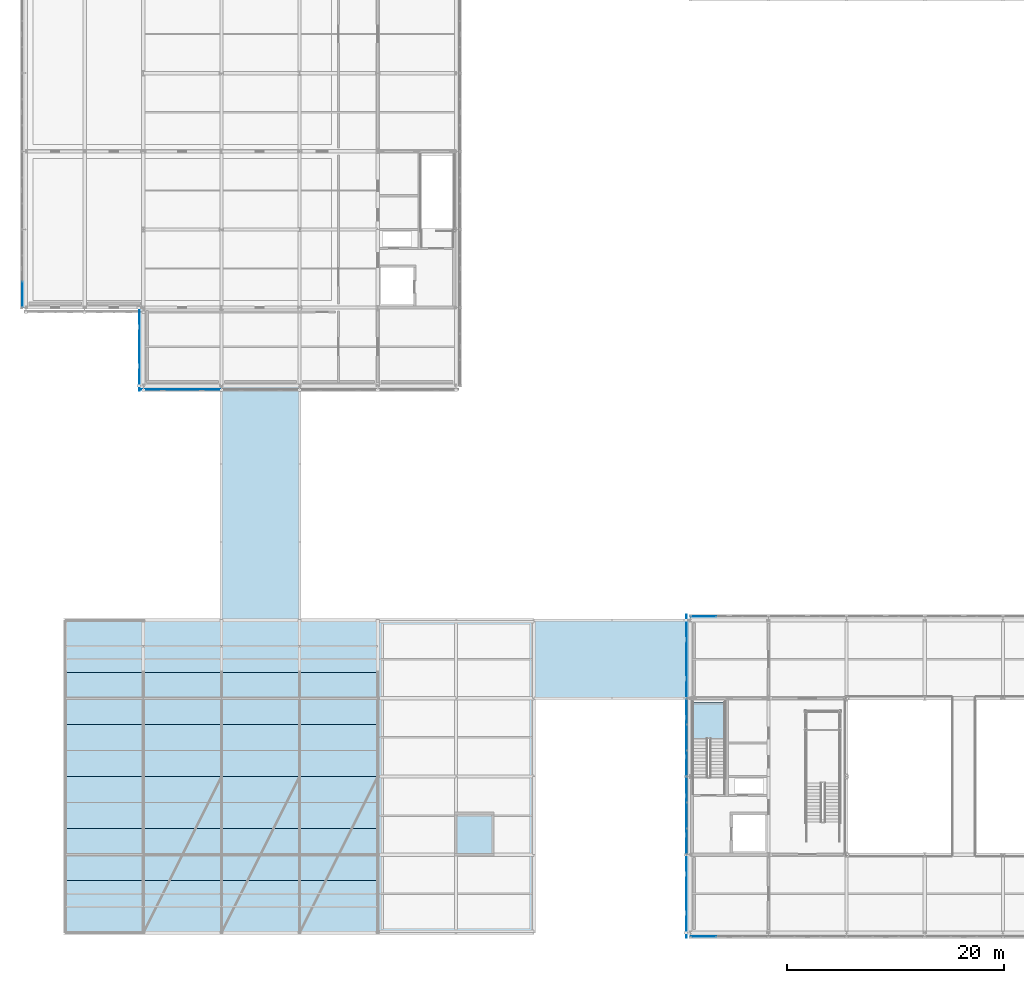
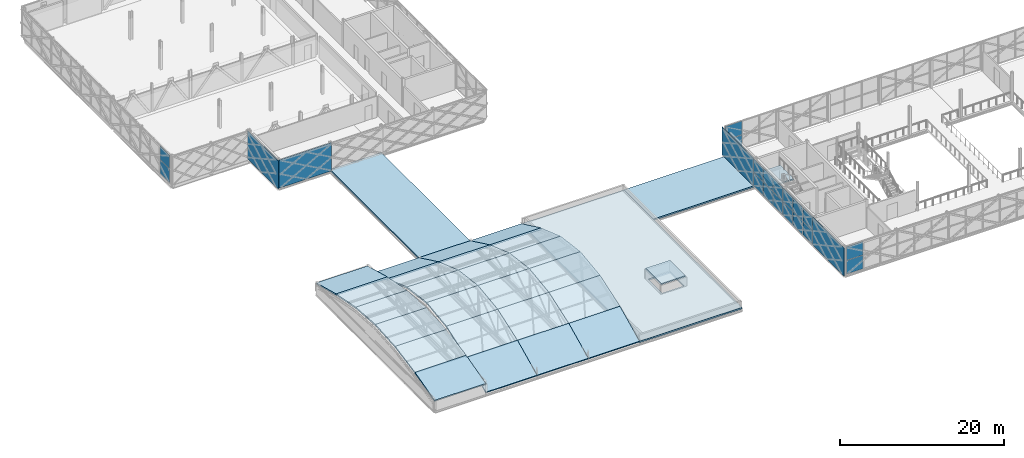
# One storey, part 65 of 103: 29 slabs, 22 plates, 6 elements without a shape of their own.
"""IFC4 building model written with IfcOpenShell, lengths in metres."""

from ifc_helpers import new_model, si_unit, direction, frame, origin, origin_2d, place, context, subcontext, project, spatial, polyline, rectangle, outline, extrude, material, layer, layer_set, type_object, element, aggregate, save


model = new_model("IFC4")

# Units and contexts
model_context = context("Model", 3, precision=1e-05, world=origin(), true_north=direction((0.0, 1.0)))
body_context = subcontext(model_context, "Body", "Model", "MODEL_VIEW")
ifc_project = project(units=[si_unit("LENGTHUNIT", "METRE"), si_unit("AREAUNIT", "SQUARE_METRE"), si_unit("VOLUMEUNIT", "CUBIC_METRE"), si_unit("PLANEANGLEUNIT", "RADIAN"), si_unit("MASSUNIT", "GRAM", prefix="KILO")], contexts=[model_context])

# Site, building, storey
site_placement = place(None, origin())
site = spatial("IfcSite", under=ifc_project, at=site_placement, CompositionType="ELEMENT")
building_placement = place(site_placement, origin())
building = spatial("IfcBuilding", under=site, at=building_placement, Name="Zlatovets Crest Museum", CompositionType="ELEMENT")
storey_placement = place(building_placement, frame((0.0, 0.0, 12.89990234375)))
storey = spatial("IfcBuildingStorey", under=building, at=storey_placement, Name="L03", CompositionType="ELEMENT", Elevation=12.89990234375)

# Curtain wall, plates
ifc_material_1 = material(Name="Bronze-anodised aluminium and low-E triple glass", Category="aluminium")
curtain_wall_type_1 = type_object("IfcCurtainWallType", Name="CW_CW-V2-L03-M0", PredefinedType="NOTDEFINED", material=ifc_material_1)
curtain_wall_1_placement = place(storey_placement, origin())
curtain_wall_1 = element("IfcCurtainWall", 1, at=curtain_wall_1_placement, inside=storey, type_object=curtain_wall_type_1, Name="V2 L03 Secession Foyer Clear Curtain Wall", PredefinedType="NOTDEFINED")
ifc_material_2 = material(Name="Solar-control low-E laminated triple glass", Category="glass")
ifc_layer_1 = layer(ifc_material_2, 0.028076171875)
ifc_layer_set_1 = layer_set([ifc_layer_1], Name="Solar-control low-E laminated triple glass")
plate_type_1 = type_object("IfcPlateType", Name="CWPanel_CW-V2-L03-M0", PredefinedType="CURTAIN_PANEL", material=ifc_layer_set_1)
plate_1_placement = place(storey_placement, frame((58.81494140625, -0.340087890625, 0.06005859375), z_axis=(0.0, 0.0, 1.0), x_axis=(1.0, 0.0, 0.0)))
plate_1 = element("IfcPlate", 2, at=plate_1_placement, type_object=plate_type_1, Name="CW-V2-L03-M0 panel 1.1", PredefinedType="CURTAIN_PANEL", context=body_context, shape_type="SweptSolid", body=[
    extrude(rectangle(XDim=2.31005859375, YDim=0.028076171875, at=origin_2d()), origin(), (0.0, 0.0, 1.0), 2.010009765625),
])
plate_2_placement = place(storey_placement, frame((58.81494140625, -0.340087890625, 2.1298828125), z_axis=(0.0, 0.0, 1.0), x_axis=(1.0, 0.0, 0.0)))
plate_2 = element("IfcPlate", 3, at=plate_2_placement, type_object=plate_type_1, Name="CW-V2-L03-M0 panel 1.2", PredefinedType="CURTAIN_PANEL", context=body_context, shape_type="SweptSolid", body=[
    extrude(rectangle(XDim=2.31005859375, YDim=0.028076171875, at=origin_2d()), origin(), (0.0, 0.0, 1.0), 2.010009765625),
])
aggregate(curtain_wall_1, [plate_1, plate_2])

curtain_wall_2_placement = place(storey_placement, origin())
curtain_wall_2 = element("IfcCurtainWall", 4, at=curtain_wall_2_placement, inside=storey, type_object=curtain_wall_type_1, Name="V2 L03 Expressed Core Glazed Facade", PredefinedType="NOTDEFINED")
plate_3_placement = place(storey_placement, frame((57.260009765625, 13.18505859375, 0.06005859375), z_axis=(0.0, 0.0, 1.0), x_axis=(0.0, -1.0, 0.0)))
plate_3 = element("IfcPlate", 5, at=plate_3_placement, type_object=plate_type_1, Name="CW-V2-L03-M0 panel 1.1", PredefinedType="CURTAIN_PANEL", context=body_context, shape_type="SweptSolid", body=[
    extrude(rectangle(XDim=2.31005859375, YDim=0.030029296875, at=origin_2d()), origin(), (0.0, 0.0, 1.0), 2.010009765625),
])
plate_4_placement = place(storey_placement, frame((57.260009765625, 13.18505859375, 2.1298828125), z_axis=(0.0, 0.0, 1.0), x_axis=(0.0, -1.0, 0.0)))
plate_4 = element("IfcPlate", 6, at=plate_4_placement, type_object=plate_type_1, Name="CW-V2-L03-M0 panel 1.2", PredefinedType="CURTAIN_PANEL", context=body_context, shape_type="SweptSolid", body=[
    extrude(rectangle(XDim=2.31005859375, YDim=0.030029296875, at=origin_2d()), origin(), (0.0, 0.0, 1.0), 2.010009765625),
])
plate_5_placement = place(storey_placement, frame((57.260009765625, 10.800048828125, 0.06005859375), z_axis=(0.0, 0.0, 1.0), x_axis=(0.0, -1.0, 0.0)))
plate_5 = element("IfcPlate", 7, at=plate_5_placement, type_object=plate_type_1, Name="CW-V2-L03-M0 panel 2.1", PredefinedType="CURTAIN_PANEL", context=body_context, shape_type="SweptSolid", body=[
    extrude(rectangle(XDim=2.340087890625, YDim=0.030029296875, at=origin_2d()), origin(), (0.0, 0.0, 1.0), 2.010009765625),
])
plate_6_placement = place(storey_placement, frame((57.260009765625, 10.800048828125, 2.1298828125), z_axis=(0.0, 0.0, 1.0), x_axis=(0.0, -1.0, 0.0)))
plate_6 = element("IfcPlate", 8, at=plate_6_placement, type_object=plate_type_1, Name="CW-V2-L03-M0 panel 2.2", PredefinedType="CURTAIN_PANEL", context=body_context, shape_type="SweptSolid", body=[
    extrude(rectangle(XDim=2.340087890625, YDim=0.030029296875, at=origin_2d()), origin(), (0.0, 0.0, 1.0), 2.010009765625),
])
plate_7_placement = place(storey_placement, frame((57.260009765625, 8.4150390625, 0.06005859375), z_axis=(0.0, 0.0, 1.0), x_axis=(0.0, -1.0, 0.0)))
plate_7 = element("IfcPlate", 9, at=plate_7_placement, type_object=plate_type_1, Name="CW-V2-L03-M0 panel 3.1", PredefinedType="CURTAIN_PANEL", context=body_context, shape_type="SweptSolid", body=[
    extrude(rectangle(XDim=2.31005859375, YDim=0.030029296875, at=origin_2d()), origin(), (0.0, 0.0, 1.0), 2.010009765625),
])
plate_8_placement = place(storey_placement, frame((57.260009765625, 8.4150390625, 2.1298828125), z_axis=(0.0, 0.0, 1.0), x_axis=(0.0, -1.0, 0.0)))
plate_8 = element("IfcPlate", 10, at=plate_8_placement, type_object=plate_type_1, Name="CW-V2-L03-M0 panel 3.2", PredefinedType="CURTAIN_PANEL", context=body_context, shape_type="SweptSolid", body=[
    extrude(rectangle(XDim=2.31005859375, YDim=0.030029296875, at=origin_2d()), origin(), (0.0, 0.0, 1.0), 2.010009765625),
])
aggregate(curtain_wall_2, [plate_3, plate_4, plate_5, plate_6, plate_7, plate_8])

curtain_wall_type_2 = type_object("IfcCurtainWallType", Name="CW_CW-V2-L03-M1", PredefinedType="NOTDEFINED", material=ifc_material_1)
curtain_wall_3_placement = place(storey_placement, origin())
curtain_wall_3 = element("IfcCurtainWall", 11, at=curtain_wall_3_placement, inside=storey, type_object=curtain_wall_type_2, Name="V2 L03 Secession Foyer Clear Curtain Wall", PredefinedType="NOTDEFINED")
ifc_layer_2 = layer(ifc_material_2, 0.031982421875)
ifc_layer_set_2 = layer_set([ifc_layer_2], Name="Solar-control low-E laminated triple glass")
plate_type_2 = type_object("IfcPlateType", Name="CWPanel_CW-V2-L03-M1", PredefinedType="CURTAIN_PANEL", material=ifc_layer_set_2)
plate_9_placement = place(storey_placement, frame((58.81494140625, 29.139892578125, 0.06005859375), z_axis=(0.0, 0.0, 1.0), x_axis=(-1.0, 0.0, 0.0)))
plate_9 = element("IfcPlate", 12, at=plate_9_placement, type_object=plate_type_2, Name="CW-V2-L03-M1 panel 3.1", PredefinedType="CURTAIN_PANEL", context=body_context, shape_type="SweptSolid", body=[
    extrude(rectangle(XDim=2.31005859375, YDim=0.031982421875, at=origin_2d()), origin(), (0.0, 0.0, 1.0), 2.010009765625),
])
plate_10_placement = place(storey_placement, frame((58.81494140625, 29.139892578125, 2.1298828125), z_axis=(0.0, 0.0, 1.0), x_axis=(-1.0, 0.0, 0.0)))
plate_10 = element("IfcPlate", 13, at=plate_10_placement, type_object=plate_type_2, Name="CW-V2-L03-M1 panel 3.2", PredefinedType="CURTAIN_PANEL", context=body_context, shape_type="SweptSolid", body=[
    extrude(rectangle(XDim=2.31005859375, YDim=0.031982421875, at=origin_2d()), origin(), (0.0, 0.0, 1.0), 2.010009765625),
])
aggregate(curtain_wall_3, [plate_9, plate_10])

curtain_wall_type_3 = type_object("IfcCurtainWallType", Name="CW_CW-V2-L03-M3", PredefinedType="NOTDEFINED", material=ifc_material_1)
curtain_wall_4_placement = place(storey_placement, origin())
curtain_wall_4 = element("IfcCurtainWall", 14, at=curtain_wall_4_placement, inside=storey, type_object=curtain_wall_type_3, Name="V2 L03 Expressed Core Glazed Facade", PredefinedType="NOTDEFINED")
ifc_layer_3 = layer(ifc_material_2, 0.0400390625)
ifc_layer_set_3 = layer_set([ifc_layer_3], Name="Solar-control low-E laminated triple glass")
plate_type_3 = type_object("IfcPlateType", Name="CWPanel_CW-V2-L03-M3", PredefinedType="CURTAIN_PANEL", material=ifc_layer_set_3)
plate_11_placement = place(storey_placement, frame((57.260009765625, 20.385009765625, 0.06005859375), z_axis=(0.0, 0.0, 1.0), x_axis=(0.0, -1.0, 0.0)))
plate_11 = element("IfcPlate", 15, at=plate_11_placement, type_object=plate_type_3, Name="CW-V2-L03-M3 panel 1.1", PredefinedType="CURTAIN_PANEL", context=body_context, shape_type="SweptSolid", body=[
    extrude(rectangle(XDim=2.31005859375, YDim=0.030029296875, at=origin_2d()), origin(), (0.0, 0.0, 1.0), 2.010009765625),
])
plate_12_placement = place(storey_placement, frame((57.260009765625, 20.385009765625, 2.1298828125), z_axis=(0.0, 0.0, 1.0), x_axis=(0.0, -1.0, 0.0)))
plate_12 = element("IfcPlate", 16, at=plate_12_placement, type_object=plate_type_3, Name="CW-V2-L03-M3 panel 1.2", PredefinedType="CURTAIN_PANEL", context=body_context, shape_type="SweptSolid", body=[
    extrude(rectangle(XDim=2.31005859375, YDim=0.030029296875, at=origin_2d()), origin(), (0.0, 0.0, 1.0), 2.010009765625),
])
plate_13_placement = place(storey_placement, frame((57.260009765625, 18.0, 0.06005859375), z_axis=(0.0, 0.0, 1.0), x_axis=(0.0, -1.0, 0.0)))
plate_13 = element("IfcPlate", 17, at=plate_13_placement, type_object=plate_type_3, Name="CW-V2-L03-M3 panel 2.1", PredefinedType="CURTAIN_PANEL", context=body_context, shape_type="SweptSolid", body=[
    extrude(rectangle(XDim=2.340087890625, YDim=0.030029296875, at=origin_2d()), origin(), (0.0, 0.0, 1.0), 2.010009765625),
])
plate_14_placement = place(storey_placement, frame((57.260009765625, 18.0, 2.1298828125), z_axis=(0.0, 0.0, 1.0), x_axis=(0.0, -1.0, 0.0)))
plate_14 = element("IfcPlate", 18, at=plate_14_placement, type_object=plate_type_3, Name="CW-V2-L03-M3 panel 2.2", PredefinedType="CURTAIN_PANEL", context=body_context, shape_type="SweptSolid", body=[
    extrude(rectangle(XDim=2.340087890625, YDim=0.030029296875, at=origin_2d()), origin(), (0.0, 0.0, 1.0), 2.010009765625),
])
plate_15_placement = place(storey_placement, frame((57.260009765625, 15.614990234375, 0.06005859375), z_axis=(0.0, 0.0, 1.0), x_axis=(0.0, -1.0, 0.0)))
plate_15 = element("IfcPlate", 19, at=plate_15_placement, type_object=plate_type_3, Name="CW-V2-L03-M3 panel 3.1", PredefinedType="CURTAIN_PANEL", context=body_context, shape_type="SweptSolid", body=[
    extrude(rectangle(XDim=2.31005859375, YDim=0.030029296875, at=origin_2d()), origin(), (0.0, 0.0, 1.0), 2.010009765625),
])
plate_16_placement = place(storey_placement, frame((57.260009765625, 15.614990234375, 2.1298828125), z_axis=(0.0, 0.0, 1.0), x_axis=(0.0, -1.0, 0.0)))
plate_16 = element("IfcPlate", 20, at=plate_16_placement, type_object=plate_type_3, Name="CW-V2-L03-M3 panel 3.2", PredefinedType="CURTAIN_PANEL", context=body_context, shape_type="SweptSolid", body=[
    extrude(rectangle(XDim=2.31005859375, YDim=0.030029296875, at=origin_2d()), origin(), (0.0, 0.0, 1.0), 2.010009765625),
])
aggregate(curtain_wall_4, [plate_11, plate_12, plate_13, plate_14, plate_15, plate_16])

curtain_wall_type_4 = type_object("IfcCurtainWallType", Name="CW_CW-V4-L03-M2", PredefinedType="NOTDEFINED", material=ifc_material_1)
curtain_wall_5_placement = place(storey_placement, origin())
curtain_wall_5 = element("IfcCurtainWall", 21, at=curtain_wall_5_placement, inside=storey, type_object=curtain_wall_type_4, Name="V4 L03 Secession Foyer Clear Curtain Wall", PredefinedType="NOTDEFINED")
ifc_layer_4 = layer(ifc_material_2, 0.030029296875)
ifc_layer_set_4 = layer_set([ifc_layer_4], Name="Solar-control low-E laminated triple glass")
plate_type_4 = type_object("IfcPlateType", Name="CWPanel_CW-V4-L03-M2", PredefinedType="CURTAIN_PANEL", material=ifc_layer_set_4)
plate_17_placement = place(storey_placement, frame((-3.93994140625, 58.81494140625, 0.06005859375), z_axis=(0.0, 0.0, 1.0), x_axis=(0.0, -1.0, 0.0)))
plate_17 = element("IfcPlate", 22, at=plate_17_placement, type_object=plate_type_4, Name="CW-V4-L03-M2 panel 3.1", PredefinedType="CURTAIN_PANEL", context=body_context, shape_type="SweptSolid", body=[
    extrude(rectangle(XDim=2.31005859375, YDim=0.035888671875, at=origin_2d()), origin(), (0.0, 0.0, 1.0), 2.010009765625),
])
plate_18_placement = place(storey_placement, frame((-3.93994140625, 58.81494140625, 2.1298828125), z_axis=(0.0, 0.0, 1.0), x_axis=(0.0, -1.0, 0.0)))
plate_18 = element("IfcPlate", 23, at=plate_18_placement, type_object=plate_type_4, Name="CW-V4-L03-M2 panel 3.2", PredefinedType="CURTAIN_PANEL", context=body_context, shape_type="SweptSolid", body=[
    extrude(rectangle(XDim=2.31005859375, YDim=0.035888671875, at=origin_2d()), origin(), (0.0, 0.0, 1.0), 2.010009765625),
])
aggregate(curtain_wall_5, [plate_17, plate_18])

# Plates
ifc_material_3 = material(Name="Ceramic-fritted low-E laminated architectural glass", Category="glass")
ifc_layer_5 = layer(ifc_material_3, 0.031982421875)
ifc_layer_set_5 = layer_set([ifc_layer_5], Name="Ceramic-fritted low-E laminated architectural glass")
plate_type_5 = type_object("IfcPlateType", Name="GlazedSpandrel_GSP1", PredefinedType="USERDEFINED", material=ifc_layer_set_5)
for number, where, z_axis, x_axis, name in (
    (24, (57.260009765625, 25.43994140625, 0.0), (0.0, 0.0, 1.0), (0.0, 1.0, 0.0), "V2 L03 Ceramic-Fritted Gallery Glass Skin"),
    (25, (57.260009765625, 3.360107421875, 0.0), (0.0, 0.0, 1.0), (0.0, 1.0, 0.0), "V2 L03 Ceramic-Fritted Gallery Glass Skin"),
):
    element("IfcPlate", number, at=place(storey_placement, frame(where, z_axis=z_axis, x_axis=x_axis)), inside=storey, type_object=plate_type_5, Name=name, ObjectType="GLAZED_SPANDREL", PredefinedType="USERDEFINED", context=body_context, shape_type="SweptSolid", body=[
        extrude(rectangle(XDim=7.679931640625, YDim=0.031982421875, at=origin_2d()), origin(), (0.0, 0.0, 1.0), 4.199951171875),
    ])
plate_19_placement = place(storey_placement, frame((10.699951171875, 50.06005859375, 0.0), z_axis=(0.0, 0.0, 1.0), x_axis=(1.0, 0.0, 0.0)))
element("IfcPlate", 26, at=plate_19_placement, inside=storey, type_object=plate_type_5, Name="V4 L03 Ceramic-Fritted Gallery Glass Skin", ObjectType="GLAZED_SPANDREL", PredefinedType="USERDEFINED", context=body_context, shape_type="SweptSolid", body=[
    extrude(rectangle(XDim=7.39990234375, YDim=0.031982421875, at=origin_2d()), origin(), (0.0, 0.0, 1.0), 4.199951171875),
])
plate_20_placement = place(storey_placement, frame((6.860107421875, 53.659912109375, 0.0), z_axis=(0.0, 0.0, 1.0), x_axis=(0.0, 1.0, 0.0)))
element("IfcPlate", 27, at=plate_20_placement, inside=storey, type_object=plate_type_5, Name="V4 L03 Ceramic-Fritted Gallery Glass Skin", ObjectType="GLAZED_SPANDREL", PredefinedType="USERDEFINED", context=body_context, shape_type="SweptSolid", body=[
    extrude(rectangle(XDim=7.47998046875, YDim=0.031982421875, at=origin_2d()), origin(), (0.0, 0.0, 1.0), 4.199951171875),
])

# Slabs
ifc_material_4 = material(Name="Concrete C30/37", Category="concrete")
ifc_layer_6 = layer(ifc_material_4, 0.219970703125)
ifc_layer_set_6 = layer_set([ifc_layer_6], Name="Concrete C30/37")
slab_type_1 = type_object("IfcSlabType", Name="Slab_RS-01", PredefinedType="ROOF", material=ifc_layer_set_6)
slab_1_placement = place(storey_placement, frame((0.0, 0.0, -0.219970703125)))
element("IfcSlab", 28, at=slab_1_placement, inside=storey, type_object=slab_type_1, Name="V3 L03 East Foyer Flat Roof Slab", PredefinedType="ROOF", context=body_context, shape_type="SweptSolid", body=[
    extrude(outline(polyline([(28.800048828125, 0.0), (28.800048828125, 28.800048828125), (43.199951171875, 28.800048828125), (43.199951171875, 0.0), (28.800048828125, 0.0)]), holes=[polyline([(39.35009765625, 10.89990234375), (36.300048828125, 10.89990234375), (36.300048828125, 7.5), (39.35009765625, 7.5), (39.35009765625, 10.89990234375)])]), origin(), (0.0, 0.0, 1.0), 0.219970703125),
])
ifc_layer_7 = layer(ifc_material_4, 0.219970703125)
ifc_layer_set_7 = layer_set([ifc_layer_7], Name="Concrete C30/37")
slab_type_2 = type_object("IfcSlabType", Name="Slab_RS-02", PredefinedType="ROOF", material=ifc_layer_set_7)
slab_2_placement = place(storey_placement, frame((7.199951171875, 0.0, 0.0), z_axis=(0.0, -0.432124066188, 0.901814166789), x_axis=(1.0, 0.0, 0.0)))
element("IfcSlab", 29, at=slab_2_placement, inside=storey, type_object=slab_type_2, Name="V3 Art Nouveau Barrel Vault Shell Facet", PredefinedType="ROOF", context=body_context, shape_type="SweptSolid", body=[
    extrude(outline(polyline([(0.0, 0.0), (7.199951171875, 0.0), (7.199951171875, 5.322658486521879), (0.0, 5.322658486521879), (0.0, 0.0)])), origin(), (0.0, 0.0, -1.0), 0.219970703125),
])
slab_3_placement = place(storey_placement, frame((7.199951171875, 4.800048828125, 2.300048828125), z_axis=(0.0, -0.331019488393, 0.943623917832), x_axis=(1.0, 0.0, 0.0)))
element("IfcSlab", 30, at=slab_3_placement, inside=storey, type_object=slab_type_2, Name="V3 Art Nouveau Barrel Vault Shell Facet", PredefinedType="ROOF", context=body_context, shape_type="SweptSolid", body=[
    extrude(outline(polyline([(0.0, 0.0), (7.199951171875, 0.0), (7.199951171875, 5.086824038070183), (0.0, 5.086824038070183), (0.0, 0.0)])), origin(), (0.0, 0.0, -1.0), 0.219970703125),
])
slab_4_placement = place(storey_placement, frame((7.199951171875, 9.60009765625, 3.98388671875), z_axis=(0.0, -0.127337399535, 0.991859459137), x_axis=(1.0, 0.0, 0.0)))
element("IfcSlab", 31, at=slab_4_placement, inside=storey, type_object=slab_type_2, Name="V3 Art Nouveau Barrel Vault Shell Facet", PredefinedType="ROOF", context=body_context, shape_type="SweptSolid", body=[
    extrude(outline(polyline([(0.0, 0.0), (7.199951171875, 0.0), (7.199951171875, 4.839198379653556), (0.0, 4.839198379653556), (0.0, 0.0)])), origin(), (0.0, 0.0, -1.0), 0.219970703125),
])
slab_5_placement = place(storey_placement, frame((7.199951171875, 14.39990234375, 4.60009765625), z_axis=(0.0, 0.127331027896, 0.991860277123), x_axis=(1.0, 0.0, 0.0)))
element("IfcSlab", 32, at=slab_5_placement, inside=storey, type_object=slab_type_2, Name="V3 Art Nouveau Barrel Vault Shell Facet", PredefinedType="ROOF", context=body_context, shape_type="SweptSolid", body=[
    extrude(outline(polyline([(0.0, 0.0), (7.199951171875, 0.0), (7.199951171875, 4.839440532941676), (0.0, 4.839440532941676), (0.0, 0.0)])), origin(), (0.0, 0.0, -1.0), 0.219970703125),
])
slab_6_placement = place(storey_placement, frame((7.199951171875, 19.199951171875, 3.98388671875), z_axis=(0.0, 0.331019488393, 0.943623917832), x_axis=(1.0, 0.0, 0.0)))
element("IfcSlab", 33, at=slab_6_placement, inside=storey, type_object=slab_type_2, Name="V3 Art Nouveau Barrel Vault Shell Facet", PredefinedType="ROOF", context=body_context, shape_type="SweptSolid", body=[
    extrude(outline(polyline([(0.0, 0.0), (7.199951171875, 0.0), (7.199951171875, 5.086824038070183), (0.0, 5.086824038070183), (0.0, 0.0)])), origin(), (0.0, 0.0, -1.0), 0.219970703125),
])
slab_7_placement = place(storey_placement, frame((7.199951171875, 24.0, 2.300048828125), z_axis=(0.0, 0.432124066188, 0.901814166789), x_axis=(1.0, 0.0, 0.0)))
element("IfcSlab", 34, at=slab_7_placement, inside=storey, type_object=slab_type_2, Name="V3 Art Nouveau Barrel Vault Shell Facet", PredefinedType="ROOF", context=body_context, shape_type="SweptSolid", body=[
    extrude(outline(polyline([(0.0, 0.0), (7.199951171875, 0.0), (7.199951171875, 5.322658486521879), (0.0, 5.322658486521879), (0.0, 0.0)])), origin(), (0.0, 0.0, -1.0), 0.219970703125),
])
slab_8_placement = place(storey_placement, frame((14.39990234375, 0.0, 0.0), z_axis=(0.0, -0.432124066188, 0.901814166789), x_axis=(1.0, 0.0, 0.0)))
element("IfcSlab", 35, at=slab_8_placement, inside=storey, type_object=slab_type_2, Name="V3 Art Nouveau Barrel Vault Shell Facet", PredefinedType="ROOF", context=body_context, shape_type="SweptSolid", body=[
    extrude(outline(polyline([(0.0, 0.0), (7.2001953125, 0.0), (7.2001953125, 5.322658486521879), (0.0, 5.322658486521879), (0.0, 0.0)])), origin(), (0.0, 0.0, -1.0), 0.219970703125),
])
slab_9_placement = place(storey_placement, frame((14.39990234375, 4.800048828125, 2.300048828125), z_axis=(0.0, -0.331019488393, 0.943623917832), x_axis=(1.0, 0.0, 0.0)))
element("IfcSlab", 36, at=slab_9_placement, inside=storey, type_object=slab_type_2, Name="V3 Art Nouveau Barrel Vault Shell Facet", PredefinedType="ROOF", context=body_context, shape_type="SweptSolid", body=[
    extrude(outline(polyline([(0.0, 0.0), (7.2001953125, 0.0), (7.2001953125, 5.086824038070183), (0.0, 5.086824038070183), (0.0, 0.0)])), origin(), (0.0, 0.0, -1.0), 0.219970703125),
])
slab_10_placement = place(storey_placement, frame((14.39990234375, 9.60009765625, 3.98388671875), z_axis=(0.0, -0.127337399535, 0.991859459137), x_axis=(1.0, 0.0, 0.0)))
element("IfcSlab", 37, at=slab_10_placement, inside=storey, type_object=slab_type_2, Name="V3 Art Nouveau Barrel Vault Shell Facet", PredefinedType="ROOF", context=body_context, shape_type="SweptSolid", body=[
    extrude(outline(polyline([(0.0, 0.0), (7.2001953125, 0.0), (7.2001953125, 4.839198379653555), (0.0, 4.839198379653555), (0.0, 0.0)])), origin(), (0.0, 0.0, -1.0), 0.219970703125),
])
slab_11_placement = place(storey_placement, frame((14.39990234375, 14.39990234375, 4.60009765625), z_axis=(0.0, 0.127331027896, 0.991860277123), x_axis=(1.0, 0.0, 0.0)))
element("IfcSlab", 38, at=slab_11_placement, inside=storey, type_object=slab_type_2, Name="V3 Art Nouveau Barrel Vault Shell Facet", PredefinedType="ROOF", context=body_context, shape_type="SweptSolid", body=[
    extrude(outline(polyline([(0.0, 0.0), (7.2001953125, 0.0), (7.2001953125, 4.839440532941676), (0.0, 4.839440532941676), (0.0, 0.0)])), origin(), (0.0, 0.0, -1.0), 0.219970703125),
])
slab_12_placement = place(storey_placement, frame((14.39990234375, 19.199951171875, 3.98388671875), z_axis=(0.0, 0.331019488393, 0.943623917832), x_axis=(1.0, 0.0, 0.0)))
element("IfcSlab", 39, at=slab_12_placement, inside=storey, type_object=slab_type_2, Name="V3 Art Nouveau Barrel Vault Shell Facet", PredefinedType="ROOF", context=body_context, shape_type="SweptSolid", body=[
    extrude(outline(polyline([(0.0, 0.0), (7.2001953125, 0.0), (7.2001953125, 5.086824038070183), (0.0, 5.086824038070183), (0.0, 0.0)])), origin(), (0.0, 0.0, -1.0), 0.219970703125),
])
slab_13_placement = place(storey_placement, frame((14.39990234375, 24.0, 2.300048828125), z_axis=(0.0, 0.432124066188, 0.901814166789), x_axis=(1.0, 0.0, 0.0)))
element("IfcSlab", 40, at=slab_13_placement, inside=storey, type_object=slab_type_2, Name="V3 Art Nouveau Barrel Vault Shell Facet", PredefinedType="ROOF", context=body_context, shape_type="SweptSolid", body=[
    extrude(outline(polyline([(0.0, 0.0), (7.2001953125, 0.0), (7.2001953125, 5.322658486521879), (0.0, 5.322658486521879), (0.0, 0.0)])), origin(), (0.0, 0.0, -1.0), 0.219970703125),
])
slab_14_placement = place(storey_placement, frame((21.60009765625, 0.0, 0.0), z_axis=(0.0, -0.432124066188, 0.901814166789), x_axis=(1.0, 0.0, 0.0)))
element("IfcSlab", 41, at=slab_14_placement, inside=storey, type_object=slab_type_2, Name="V3 Art Nouveau Barrel Vault Shell Facet", PredefinedType="ROOF", context=body_context, shape_type="SweptSolid", body=[
    extrude(outline(polyline([(0.0, 0.0), (7.199951171875, 0.0), (7.199951171875, 5.322658486521879), (0.0, 5.322658486521879), (0.0, 0.0)])), origin(), (0.0, 0.0, -1.0), 0.219970703125),
])
slab_15_placement = place(storey_placement, frame((21.60009765625, 4.800048828125, 2.300048828125), z_axis=(0.0, -0.331019488393, 0.943623917832), x_axis=(1.0, 0.0, 0.0)))
element("IfcSlab", 42, at=slab_15_placement, inside=storey, type_object=slab_type_2, Name="V3 Art Nouveau Barrel Vault Shell Facet", PredefinedType="ROOF", context=body_context, shape_type="SweptSolid", body=[
    extrude(outline(polyline([(0.0, 0.0), (7.199951171875, 0.0), (7.199951171875, 5.086824038070183), (0.0, 5.086824038070183), (0.0, 0.0)])), origin(), (0.0, 0.0, -1.0), 0.219970703125),
])
slab_16_placement = place(storey_placement, frame((21.60009765625, 9.60009765625, 3.98388671875), z_axis=(0.0, -0.127337399535, 0.991859459137), x_axis=(1.0, 0.0, 0.0)))
element("IfcSlab", 43, at=slab_16_placement, inside=storey, type_object=slab_type_2, Name="V3 Art Nouveau Barrel Vault Shell Facet", PredefinedType="ROOF", context=body_context, shape_type="SweptSolid", body=[
    extrude(outline(polyline([(0.0, 0.0), (7.199951171875, 0.0), (7.199951171875, 4.839198379653556), (0.0, 4.839198379653556), (0.0, 0.0)])), origin(), (0.0, 0.0, -1.0), 0.219970703125),
])
slab_17_placement = place(storey_placement, frame((21.60009765625, 14.39990234375, 4.60009765625), z_axis=(0.0, 0.127331027896, 0.991860277123), x_axis=(1.0, 0.0, 0.0)))
element("IfcSlab", 44, at=slab_17_placement, inside=storey, type_object=slab_type_2, Name="V3 Art Nouveau Barrel Vault Shell Facet", PredefinedType="ROOF", context=body_context, shape_type="SweptSolid", body=[
    extrude(outline(polyline([(0.0, 0.0), (7.199951171875, 0.0), (7.199951171875, 4.839440532941676), (0.0, 4.839440532941676), (0.0, 0.0)])), origin(), (0.0, 0.0, -1.0), 0.219970703125),
])
slab_18_placement = place(storey_placement, frame((21.60009765625, 19.199951171875, 3.98388671875), z_axis=(0.0, 0.331019488393, 0.943623917832), x_axis=(1.0, 0.0, 0.0)))
element("IfcSlab", 45, at=slab_18_placement, inside=storey, type_object=slab_type_2, Name="V3 Art Nouveau Barrel Vault Shell Facet", PredefinedType="ROOF", context=body_context, shape_type="SweptSolid", body=[
    extrude(outline(polyline([(0.0, 0.0), (7.199951171875, 0.0), (7.199951171875, 5.086824038070183), (0.0, 5.086824038070183), (0.0, 0.0)])), origin(), (0.0, 0.0, -1.0), 0.219970703125),
])
slab_19_placement = place(storey_placement, frame((21.60009765625, 24.0, 2.300048828125), z_axis=(0.0, 0.432124066188, 0.901814166789), x_axis=(1.0, 0.0, 0.0)))
element("IfcSlab", 46, at=slab_19_placement, inside=storey, type_object=slab_type_2, Name="V3 Art Nouveau Barrel Vault Shell Facet", PredefinedType="ROOF", context=body_context, shape_type="SweptSolid", body=[
    extrude(outline(polyline([(0.0, 0.0), (7.199951171875, 0.0), (7.199951171875, 5.322658486521879), (0.0, 5.322658486521879), (0.0, 0.0)])), origin(), (0.0, 0.0, -1.0), 0.219970703125),
])
slab_20_placement = place(storey_placement, frame((0.0, 0.0, 1.300048828125), z_axis=(0.0, -0.25674772281, 0.966478456476), x_axis=(1.0, 0.0, 0.0)))
element("IfcSlab", 47, at=slab_20_placement, inside=storey, type_object=slab_type_2, Name="V3 Art Nouveau Barrel Vault Shell Facet", PredefinedType="ROOF", context=body_context, shape_type="SweptSolid", body=[
    extrude(outline(polyline([(0.0, 0.0), (7.199951171875, 0.0), (7.199951171875, 4.966534738527266), (0.0, 4.966534738527266), (0.0, 0.0)])), origin(), (0.0, 0.0, -1.0), 0.219970703125),
])
slab_21_placement = place(storey_placement, frame((0.0, 4.800048828125, 2.5751953125), z_axis=(0.0, -0.190870995439, 0.981615129824), x_axis=(1.0, 0.0, 0.0)))
element("IfcSlab", 48, at=slab_21_placement, inside=storey, type_object=slab_type_2, Name="V3 Art Nouveau Barrel Vault Shell Facet", PredefinedType="ROOF", context=body_context, shape_type="SweptSolid", body=[
    extrude(outline(polyline([(0.0, 0.0), (7.199951171875, 0.0), (7.199951171875, 4.889949922617271), (0.0, 4.889949922617271), (0.0, 0.0)])), origin(), (0.0, 0.0, -1.0), 0.219970703125),
])
slab_22_placement = place(storey_placement, frame((0.0, 9.60009765625, 3.508544921875), z_axis=(0.0, -0.070980230608, 0.997477722489), x_axis=(1.0, 0.0, 0.0)))
element("IfcSlab", 49, at=slab_22_placement, inside=storey, type_object=slab_type_2, Name="V3 Art Nouveau Barrel Vault Shell Facet", PredefinedType="ROOF", context=body_context, shape_type="SweptSolid", body=[
    extrude(outline(polyline([(0.0, 0.0), (7.199951171875, 0.0), (7.199951171875, 4.811941739932646), (0.0, 4.811941739932646), (0.0, 0.0)])), origin(), (0.0, 0.0, -1.0), 0.219970703125),
])
slab_23_placement = place(storey_placement, frame((0.0, 14.39990234375, 3.85009765625), z_axis=(0.0, 0.070976638592, 0.99747797809), x_axis=(1.0, 0.0, 0.0)))
element("IfcSlab", 50, at=slab_23_placement, inside=storey, type_object=slab_type_2, Name="V3 Art Nouveau Barrel Vault Shell Facet", PredefinedType="ROOF", context=body_context, shape_type="SweptSolid", body=[
    extrude(outline(polyline([(0.0, 0.0), (7.199951171875, 0.0), (7.199951171875, 4.8121852647984396), (0.0, 4.8121852647984396), (0.0, 0.0)])), origin(), (0.0, 0.0, -1.0), 0.219970703125),
])
slab_24_placement = place(storey_placement, frame((0.0, 19.199951171875, 3.508544921875), z_axis=(0.0, 0.190870995439, 0.981615129824), x_axis=(1.0, 0.0, 0.0)))
element("IfcSlab", 51, at=slab_24_placement, inside=storey, type_object=slab_type_2, Name="V3 Art Nouveau Barrel Vault Shell Facet", PredefinedType="ROOF", context=body_context, shape_type="SweptSolid", body=[
    extrude(outline(polyline([(0.0, 0.0), (7.199951171875, 0.0), (7.199951171875, 4.889949922617271), (0.0, 4.889949922617271), (0.0, 0.0)])), origin(), (0.0, 0.0, -1.0), 0.219970703125),
])
slab_25_placement = place(storey_placement, frame((0.0, 24.0, 2.5751953125), z_axis=(0.0, 0.25674772281, 0.966478456476), x_axis=(1.0, 0.0, 0.0)))
element("IfcSlab", 52, at=slab_25_placement, inside=storey, type_object=slab_type_2, Name="V3 Art Nouveau Barrel Vault Shell Facet", PredefinedType="ROOF", context=body_context, shape_type="SweptSolid", body=[
    extrude(outline(polyline([(0.0, 0.0), (7.199951171875, 0.0), (7.199951171875, 4.966534738527266), (0.0, 4.966534738527266), (0.0, 0.0)])), origin(), (0.0, 0.0, -1.0), 0.219970703125),
])
ifc_layer_8 = layer(ifc_material_4, 0.219970703125)
ifc_layer_set_8 = layer_set([ifc_layer_8], Name="Concrete C30/37")
slab_type_3 = type_object("IfcSlabType", Name="Slab_RS-03", PredefinedType="ROOF", material=ifc_layer_set_8)
slab_26_placement = place(storey_placement, frame((0.0, 0.0, -0.219970703125)))
element("IfcSlab", 53, at=slab_26_placement, inside=storey, type_object=slab_type_3, Name="South Forecourt Glazed Link Bridge Glazed Passage Roof Slab", PredefinedType="ROOF", context=body_context, shape_type="SweptSolid", body=[
    extrude(outline(polyline([(57.60009765625, 21.60009765625), (57.60009765625, 28.800048828125), (43.199951171875, 28.800048828125), (43.199951171875, 21.60009765625), (57.60009765625, 21.60009765625)])), origin(), (0.0, 0.0, 1.0), 0.219970703125),
])
slab_27_placement = place(storey_placement, frame((0.0, 0.0, -0.219970703125)))
element("IfcSlab", 54, at=slab_27_placement, inside=storey, type_object=slab_type_3, Name="West Hillside Glazed Link Bridge Glazed Passage Roof Slab", PredefinedType="ROOF", context=body_context, shape_type="SweptSolid", body=[
    extrude(outline(polyline([(21.60009765625, 28.800048828125), (21.60009765625, 50.39990234375), (14.39990234375, 50.39990234375), (14.39990234375, 28.800048828125), (21.60009765625, 28.800048828125)])), origin(), (0.0, 0.0, 1.0), 0.219970703125),
])
ifc_layer_9 = layer(ifc_material_4, 0.179931640625)
ifc_layer_set_9 = layer_set([ifc_layer_9], Name="Concrete C30/37")
slab_type_4 = type_object("IfcSlabType", Name="Slab_RS-05", PredefinedType="ROOF", material=ifc_layer_set_9)
slab_28_placement = place(storey_placement, frame((0.0, 0.0, 1.5)))
element("IfcSlab", 55, at=slab_28_placement, inside=storey, type_object=slab_type_4, Name="Lift PL1 Overrun Roof Slab", PredefinedType="ROOF", context=body_context, shape_type="SweptSolid", body=[
    extrude(outline(polyline([(36.0, 7.199951171875), (39.39990234375, 7.199951171875), (39.39990234375, 11.0), (36.0, 11.0), (36.0, 7.199951171875)])), origin(), (0.0, 0.0, 1.0), 0.18017578125),
])

# Stair, slab
ifc_material_5 = material(Name="Concrete C35/45", Category="concrete")
stair_type = type_object("IfcStairType", Name="Stair_ST2-26R", PredefinedType="HALF_TURN_STAIR", material=ifc_material_5)
stair_placement = place(storey_placement, origin())
stair = element("IfcStair", 56, at=stair_placement, inside=storey, type_object=stair_type, Name="L03 Core C2 Escape Stair ST2", PredefinedType="HALF_TURN_STAIR")
ifc_layer_10 = layer(ifc_material_5, 0.199951171875)
ifc_layer_set_10 = layer_set([ifc_layer_10], Name="Concrete C35/45")
slab_type_5 = type_object("IfcSlabType", Name="StairLanding_SLD1", PredefinedType="LANDING", material=ifc_layer_set_10)
slab_29_placement = place(storey_placement, frame((0.0, 0.0, 1.900146484375)))
slab_29 = element("IfcSlab", 57, at=slab_29_placement, type_object=slab_type_5, Name="ST2 landing 1", PredefinedType="LANDING", context=body_context, shape_type="SweptSolid", body=[
    extrude(outline(polyline([(60.800048828125, 17.89990234375), (60.800048828125, 21.199951171875), (57.800048828125, 21.199951171875), (57.800048828125, 17.89990234375), (60.800048828125, 17.89990234375)])), origin(), (0.0, 0.0, 1.0), 0.199951171875),
])
aggregate(stair, [slab_29])

save(model, "model.ifc")
